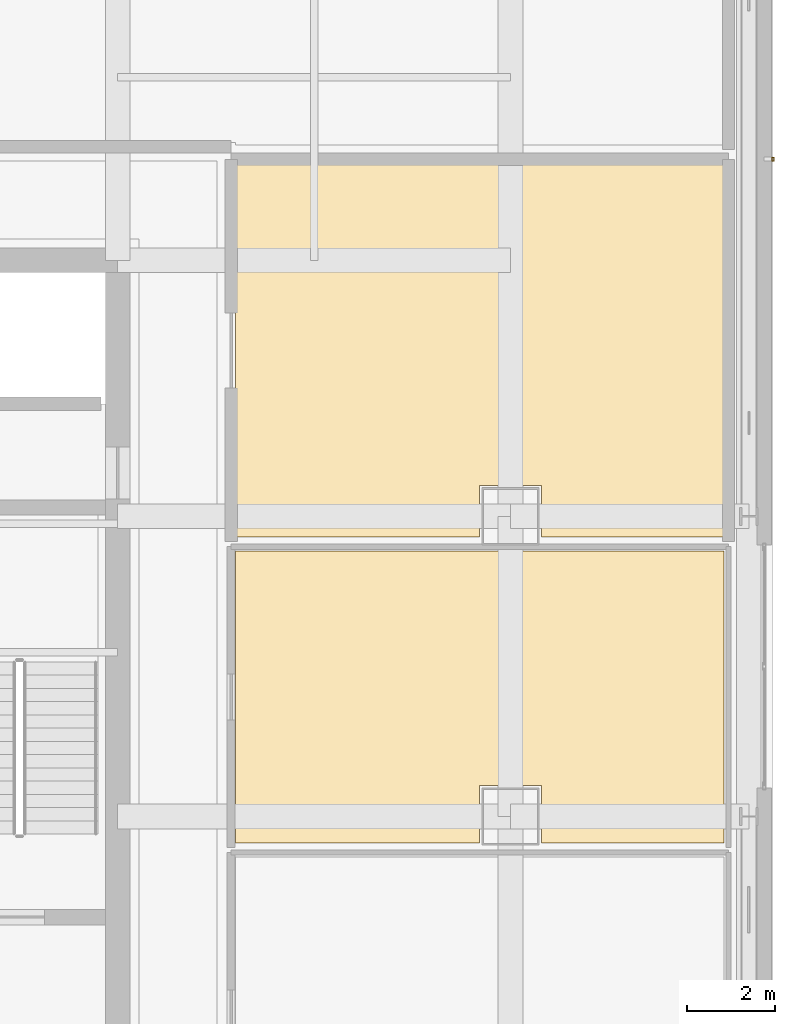
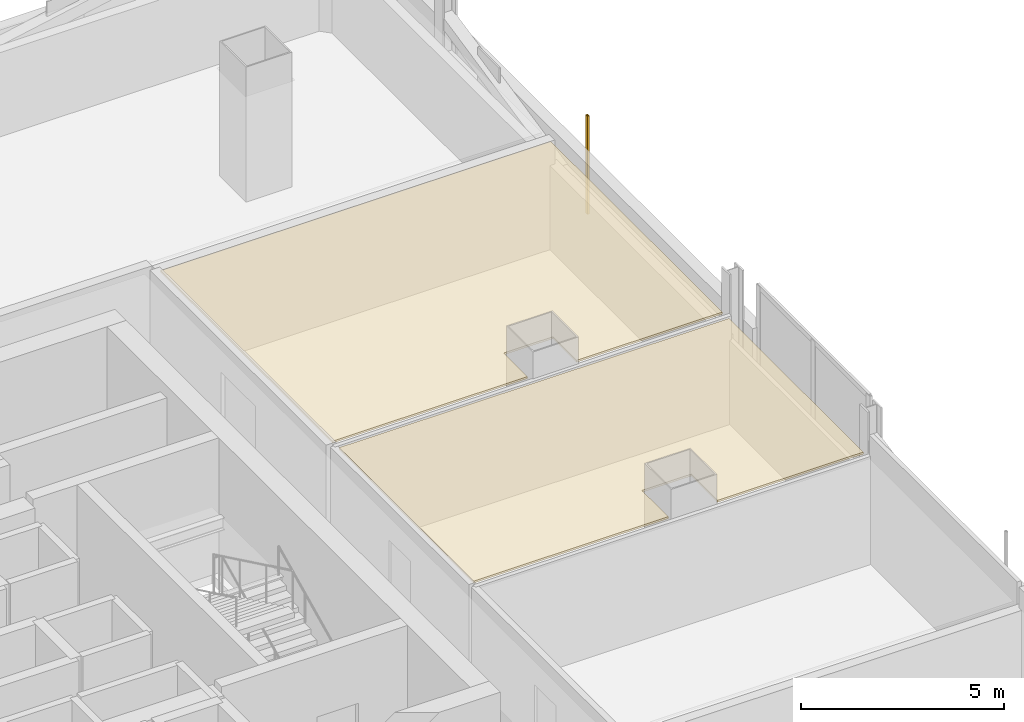
# One storey, part 27 of 30: 2 coverings, 1 shading device.
"""IFC4 building model written with IfcOpenShell, lengths in metres."""

from ifc_helpers import new_model, si_unit, direction, frame, origin, origin_2d, place, context, subcontext, project, spatial, polyline, hollow_rectangle, outline, extrude, material, layer, layer_set, material_profile, profile_set, type_object, element, save


model = new_model("IFC4")

# Units and contexts
model_context = context("Model", 3, precision=1e-05, world=origin(), true_north=direction((0.0, 1.0)))
body_context = subcontext(model_context, "Body", "Model", "MODEL_VIEW")
ifc_project = project(units=[si_unit("LENGTHUNIT", "METRE"), si_unit("AREAUNIT", "SQUARE_METRE"), si_unit("VOLUMEUNIT", "CUBIC_METRE"), si_unit("PLANEANGLEUNIT", "RADIAN"), si_unit("MASSUNIT", "GRAM", prefix="KILO")], contexts=[model_context])

# Site, building, storey
site_placement = place(None, origin())
site = spatial("IfcSite", under=ifc_project, at=site_placement, CompositionType="ELEMENT")
building_placement = place(site_placement, origin())
building = spatial("IfcBuilding", under=site, at=building_placement, Name="Punatoya Terracotta Tower", CompositionType="ELEMENT")
storey_placement = place(building_placement, frame((0.0, 0.0, 251.39990234375)))
storey = spatial("IfcBuildingStorey", under=building, at=storey_placement, Name="L59", CompositionType="ELEMENT", Elevation=251.39990234375)

# Coverings
ifc_material_1 = material(Name="Acoustic Mineral Fibre Ceiling")
ifc_layer = layer(ifc_material_1, 0.06005859375)
ifc_layer_set = layer_set([ifc_layer], Name="Acoustic Mineral Fibre Ceiling")
covering_type = type_object("IfcCoveringType", Name="COV-CEIL-60", PredefinedType="CEILING", material=ifc_layer_set)
covering_1_placement = place(storey_placement, frame((0.0, 0.0, 3.16015625)))
element("IfcCovering", 1, at=covering_1_placement, inside=storey, type_object=covering_type, Name="L59 Open-Plan Wellness Relaxation Lounge Acoustic Ceiling", PredefinedType="CEILING", context=body_context, shape_type="SweptSolid", body=[
    extrude(outline(polyline([(23.93994140625, -3.998046875), (23.93994140625, 2.612060546875), (12.8701171875, 2.612060546875), (12.8701171875, -3.998046875), (18.39990234375, -3.998046875), (18.39990234375, -2.699951171875), (19.800048828125, -2.699951171875), (19.800048828125, -3.998046875), (23.93994140625, -3.998046875)])), origin(), (0.0, 0.0, 1.0), 0.06005859375),
])
covering_2_placement = place(storey_placement, frame((0.0, 0.0, 3.16015625)))
element("IfcCovering", 2, at=covering_2_placement, inside=storey, type_object=covering_type, Name="L59 Open-Plan Waterfront Club Lounge Acoustic Ceiling", PredefinedType="CEILING", context=body_context, shape_type="SweptSolid", body=[
    extrude(outline(polyline([(18.39990234375, 2.931884765625), (18.39990234375, 4.10009765625), (19.800048828125, 4.10009765625), (19.800048828125, 2.931884765625), (23.93994140625, 2.931884765625), (23.93994140625, 11.389892578125), (12.8701171875, 11.389892578125), (12.8701171875, 2.931884765625), (18.39990234375, 2.931884765625)])), origin(), (0.0, 0.0, 1.0), 0.06005859375),
])

# Shading device
ifc_material_2 = material(Name="Architectural Fired Terracotta", Category="masonry")
ifc_material_profile = material_profile(ifc_material_2, hollow_rectangle(XDim=0.06005859375, YDim=0.090087890625, WallThickness=0.013916015625, at=origin_2d()))
ifc_profile_set = profile_set([ifc_material_profile], Name="Architectural Fired Terracotta")
shading_device_type = type_object("IfcShadingDeviceType", Name="SHD-JALI-90", PredefinedType="JALOUSIE", material=ifc_profile_set)
shading_device_placement = place(storey_placement, frame((25.050048828125, 11.493408203125, 0.60009765625), z_axis=(0.0, 0.0, 1.0), x_axis=(1.0, 0.0, 0.0)))
element("IfcShadingDevice", 3, at=shading_device_placement, inside=storey, type_object=shading_device_type, Name="L59 Braced Bay Terracotta Jali Fin E2", PredefinedType="JALOUSIE", context=body_context, shape_type="SweptSolid", body=[
    extrude(hollow_rectangle(XDim=0.06005859375, YDim=0.090087890625, WallThickness=0.013916015625, at=origin_2d()), origin(), (0.0, 0.0, 1.0), 2.949951171875),
])

save(model, "model.ifc")
